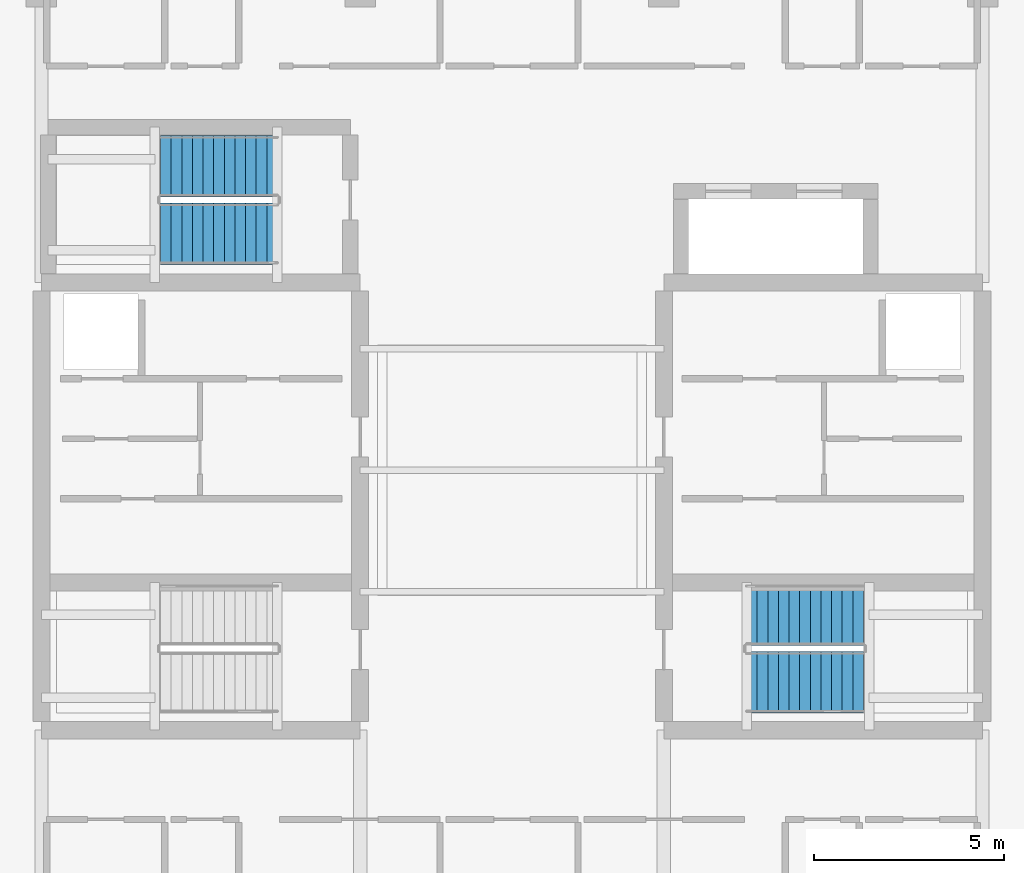
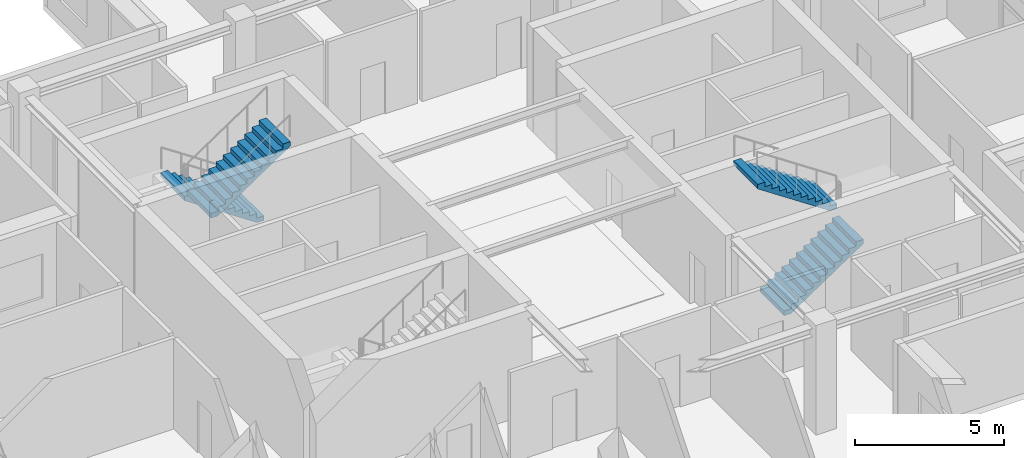
# One storey, part 13 of 16: 4 stair flights, 2 elements without a shape of their own.
"""IFC4 building model written with IfcOpenShell, lengths in metres."""

from ifc_helpers import new_model, si_unit, direction, frame, origin, place, context, subcontext, project, spatial, polyline, outline, extrude, material, layer, layer_set, type_object, element, aggregate, save


model = new_model("IFC4")

# Units and contexts
model_context = context("Model", 3, precision=1e-05, world=origin(), true_north=direction((0.0, 1.0)))
body_context = subcontext(model_context, "Body", "Model", "MODEL_VIEW")
ifc_project = project(units=[si_unit("LENGTHUNIT", "METRE"), si_unit("AREAUNIT", "SQUARE_METRE"), si_unit("VOLUMEUNIT", "CUBIC_METRE"), si_unit("PLANEANGLEUNIT", "RADIAN"), si_unit("MASSUNIT", "GRAM", prefix="KILO")], contexts=[model_context])

# Site, building, storey
site_placement = place(None, origin())
site = spatial("IfcSite", under=ifc_project, at=site_placement, CompositionType="ELEMENT")
building_placement = place(site_placement, origin())
building = spatial("IfcBuilding", under=site, at=building_placement, Name="Qingluan Cross Belvedere", CompositionType="ELEMENT")
storey_placement = place(building_placement, frame((0.0, 0.0, 308.39990234375)))
storey = spatial("IfcBuildingStorey", under=building, at=storey_placement, Name="L76", CompositionType="ELEMENT", Elevation=308.39990234375)

# Stair, stair flights
ifc_material_1 = material(Name="Concrete C40", Category="concrete")
stair_type = type_object("IfcStairType", Name="CoreDoglegStair_1620", PredefinedType="HALF_TURN_STAIR", material=ifc_material_1)
stair_1_placement = place(storey_placement, origin())
stair_1 = element("IfcStair", 1, at=stair_1_placement, inside=storey, type_object=stair_type, Name="L76 ST2", PredefinedType="HALF_TURN_STAIR")
ifc_material_2 = material(Name="Concrete C40", Category="concrete")
ifc_layer = layer(ifc_material_2, 0.179931640625, Name="StairFlight_RC180")
ifc_layer_set = layer_set([ifc_layer], Name="Concrete C40")
stair_flight_type = type_object("IfcStairFlightType", Name="StairFlight_RC180", PredefinedType="STRAIGHT", material=ifc_layer_set)
stair_flight_1_placement = place(storey_placement, frame((6.179931640625, -5.590087890625, 0.0), z_axis=(0.0, 0.0, 1.0), x_axis=(1.0, 0.0, 0.0)))
stair_flight_1 = element("IfcStairFlight", 2, at=stair_flight_1_placement, type_object=stair_flight_type, Name="ST2 flight 1", NumberOfRisers=12, NumberOfTreads=11, PredefinedType="STRAIGHT", RiserHeight=0.1875, TreadLength=0.28, context=body_context, shape_type="SweptSolid", body=[
    extrude(outline(polyline([(0.0, 0.0), (0.0, 0.1875), (0.280029296875, 0.1875), (0.280029296875, 0.375), (0.56005859375, 0.375), (0.56005859375, 0.5625), (0.840087890625, 0.5625), (0.840087890625, 0.75), (1.1201171875, 0.75), (1.1201171875, 0.9375), (1.39990234375, 0.9375), (1.39990234375, 1.125), (1.679931640625, 1.125), (1.679931640625, 1.3125), (1.9599609375, 1.3125), (1.9599609375, 1.5), (2.239990234375, 1.5), (2.239990234375, 1.6875), (2.52001953125, 1.6875), (2.52001953125, 1.875), (2.800048828125, 1.875), (2.800048828125, 2.0625), (3.080078125, 2.0625), (3.080078125, 2.25), (3.080078125, 1.882080078125), (0.26953125, 0.0), (0.0, 0.0)])), frame((0.0, 0.81005859375, 0.0), z_axis=(0.0, -1.0, 0.0), x_axis=(1.0, 0.0, 0.0)), (0.0, 0.0, 1.0), 1.6201171875),
])
stair_flight_2_placement = place(storey_placement, frame((9.260009765625, -3.81005859375, 2.25), z_axis=(0.0, 0.0, 1.0), x_axis=(-1.0, 0.0, 0.0)))
stair_flight_2 = element("IfcStairFlight", 3, at=stair_flight_2_placement, type_object=stair_flight_type, Name="ST2 flight 2", NumberOfRisers=12, NumberOfTreads=11, PredefinedType="STRAIGHT", RiserHeight=0.1875, TreadLength=0.28, context=body_context, shape_type="SweptSolid", body=[
    extrude(outline(polyline([(0.0, 0.0), (0.0, 0.1875), (0.280029296875, 0.1875), (0.280029296875, 0.375), (0.56005859375, 0.375), (0.56005859375, 0.5625), (0.840087890625, 0.5625), (0.840087890625, 0.75), (1.1201171875, 0.75), (1.1201171875, 0.9375), (1.39990234375, 0.9375), (1.39990234375, 1.125), (1.679931640625, 1.125), (1.679931640625, 1.3125), (1.9599609375, 1.3125), (1.9599609375, 1.5), (2.239990234375, 1.5), (2.239990234375, 1.6875), (2.52001953125, 1.6875), (2.52001953125, 1.875), (2.800048828125, 1.875), (2.800048828125, 2.0625), (3.080078125, 2.0625), (3.080078125, 2.25), (3.080078125, 1.882080078125), (0.26953125, 0.0), (0.0, 0.0)])), frame((0.0, 0.81005859375, 0.0), z_axis=(0.0, -1.0, 0.0), x_axis=(1.0, 0.0, 0.0)), (0.0, 0.0, 1.0), 1.6201171875),
])
aggregate(stair_1, [stair_flight_1, stair_flight_2])

stair_2_placement = place(storey_placement, origin())
stair_2 = element("IfcStair", 4, at=stair_2_placement, inside=storey, type_object=stair_type, Name="L76 ST3", PredefinedType="HALF_TURN_STAIR")
stair_flight_3_placement = place(storey_placement, frame((-6.179931640625, 8.010009765625, 0.0), z_axis=(0.0, 0.0, 1.0), x_axis=(-1.0, 0.0, 0.0)))
stair_flight_3 = element("IfcStairFlight", 5, at=stair_flight_3_placement, type_object=stair_flight_type, Name="ST3 flight 1", NumberOfRisers=12, NumberOfTreads=11, PredefinedType="STRAIGHT", RiserHeight=0.1875, TreadLength=0.28, context=body_context, shape_type="SweptSolid", body=[
    extrude(outline(polyline([(0.0, 0.0), (0.0, 0.1875), (0.280029296875, 0.1875), (0.280029296875, 0.375), (0.56005859375, 0.375), (0.56005859375, 0.5625), (0.840087890625, 0.5625), (0.840087890625, 0.75), (1.1201171875, 0.75), (1.1201171875, 0.9375), (1.39990234375, 0.9375), (1.39990234375, 1.125), (1.679931640625, 1.125), (1.679931640625, 1.3125), (1.9599609375, 1.3125), (1.9599609375, 1.5), (2.239990234375, 1.5), (2.239990234375, 1.6875), (2.52001953125, 1.6875), (2.52001953125, 1.875), (2.800048828125, 1.875), (2.800048828125, 2.0625), (3.080078125, 2.0625), (3.080078125, 2.25), (3.080078125, 1.882080078125), (0.26953125, 0.0), (0.0, 0.0)])), frame((0.0, 0.81005859375, 0.0), z_axis=(0.0, -1.0, 0.0), x_axis=(1.0, 0.0, 0.0)), (0.0, 0.0, 1.0), 1.6201171875),
])
stair_flight_4_placement = place(storey_placement, frame((-9.260009765625, 6.22998046875, 2.25), z_axis=(0.0, 0.0, 1.0), x_axis=(1.0, 0.0, 0.0)))
stair_flight_4 = element("IfcStairFlight", 6, at=stair_flight_4_placement, type_object=stair_flight_type, Name="ST3 flight 2", NumberOfRisers=12, NumberOfTreads=11, PredefinedType="STRAIGHT", RiserHeight=0.1875, TreadLength=0.28, context=body_context, shape_type="SweptSolid", body=[
    extrude(outline(polyline([(0.0, 0.0), (0.0, 0.1875), (0.280029296875, 0.1875), (0.280029296875, 0.375), (0.56005859375, 0.375), (0.56005859375, 0.5625), (0.840087890625, 0.5625), (0.840087890625, 0.75), (1.1201171875, 0.75), (1.1201171875, 0.9375), (1.39990234375, 0.9375), (1.39990234375, 1.125), (1.679931640625, 1.125), (1.679931640625, 1.3125), (1.9599609375, 1.3125), (1.9599609375, 1.5), (2.239990234375, 1.5), (2.239990234375, 1.6875), (2.52001953125, 1.6875), (2.52001953125, 1.875), (2.800048828125, 1.875), (2.800048828125, 2.0625), (3.080078125, 2.0625), (3.080078125, 2.25), (3.080078125, 1.882080078125), (0.26953125, 0.0), (0.0, 0.0)])), frame((0.0, 0.81005859375, 0.0), z_axis=(0.0, -1.0, 0.0), x_axis=(1.0, 0.0, 0.0)), (0.0, 0.0, 1.0), 1.6201171875),
])
aggregate(stair_2, [stair_flight_3, stair_flight_4])

save(model, "model.ifc")
